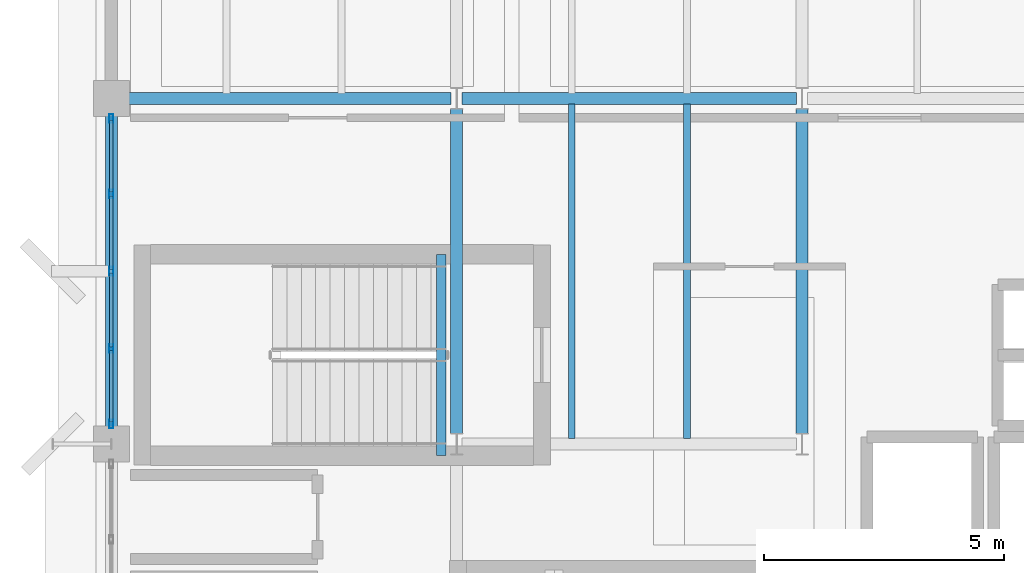
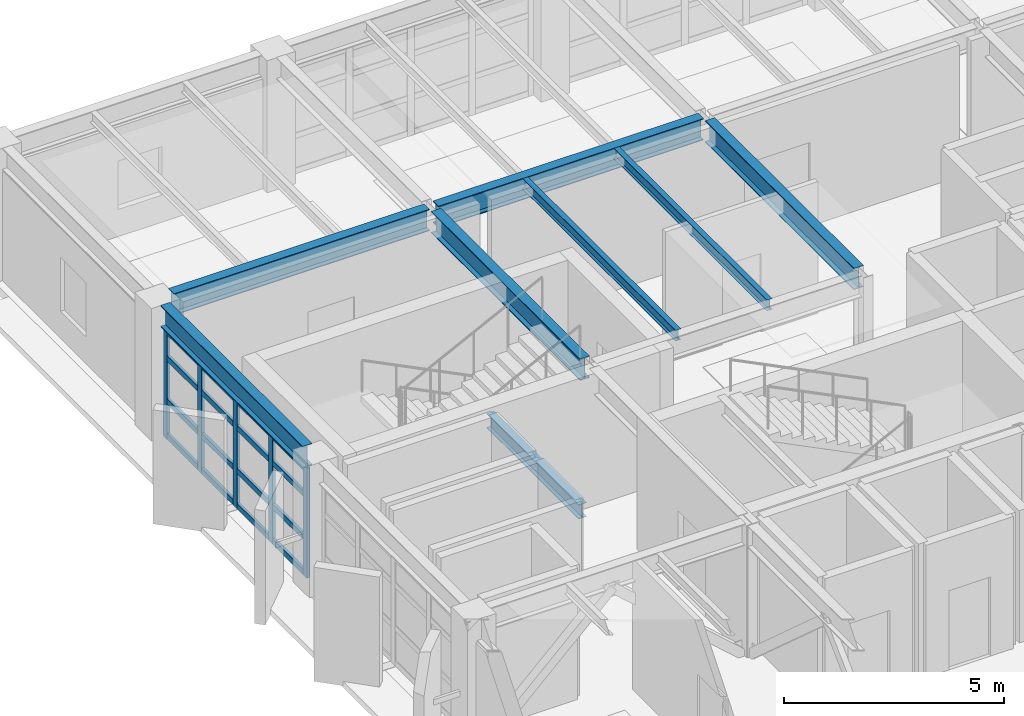
# One storey, part 8 of 24: 21 members, 8 beams, 1 element without a shape of its own.
"""IFC4 building model written with IfcOpenShell, lengths in metres."""

from ifc_helpers import new_model, si_unit, direction, frame, origin, origin_2d, place, context, subcontext, project, spatial, hollow_rectangle, i_section, extrude, material, layer, layer_set, material_profile, profile_set, type_object, element, aggregate, save


model = new_model("IFC4")

# Units and contexts
model_context = context("Model", 3, precision=1e-05, world=origin(), true_north=direction((0.0, 1.0)))
body_context = subcontext(model_context, "Body", "Model", "MODEL_VIEW")
ifc_project = project(units=[si_unit("LENGTHUNIT", "METRE"), si_unit("AREAUNIT", "SQUARE_METRE"), si_unit("VOLUMEUNIT", "CUBIC_METRE"), si_unit("PLANEANGLEUNIT", "RADIAN"), si_unit("MASSUNIT", "GRAM", prefix="KILO")], contexts=[model_context])

# Site, building, storey
site_placement = place(None, origin())
site = spatial("IfcSite", under=ifc_project, at=site_placement, CompositionType="ELEMENT")
building_placement = place(site_placement, origin())
building = spatial("IfcBuilding", under=site, at=building_placement, Name="Kandorven Conservatory and Botanical Research Centre", CompositionType="ELEMENT")
storey_placement = place(building_placement, frame((0.0, 0.0, 21.0)))
storey = spatial("IfcBuildingStorey", under=building, at=storey_placement, Name="L05", CompositionType="ELEMENT", Elevation=21.0)

# Beams
ifc_material_1 = material(Name="Steel S355 (IS 2062 E350)", Category="steel")
ifc_material_profile_1 = material_profile(ifc_material_1, i_section(OverallWidth=0.25, OverallDepth=0.60009765625, WebThickness=0.01171875, FlangeThickness=0.023681640625, at=origin_2d()))
ifc_profile_set_1 = profile_set([ifc_material_profile_1], Name="Steel S355 (IS 2062 E350)")
beam_type_1 = type_object("IfcBeamType", Name="Beam_FG-01", PredefinedType="USERDEFINED", material=ifc_profile_set_1)
beam_1_placement = place(storey_placement, frame((6.364990234375, 27.60009765625, 3.3701171875), z_axis=(1.0, 0.0, 0.0), x_axis=(0.0, 1.0, 0.0)))
element("IfcBeam", 1, at=beam_1_placement, inside=storey, type_object=beam_type_1, Name="Primary girder FG-01 TWR L05", ObjectType="GIRDER", PredefinedType="USERDEFINED", context=body_context, shape_type="SweptSolid", body=[
    extrude(i_section(OverallWidth=0.25, OverallDepth=0.60009765625, WebThickness=0.01171875, FlangeThickness=0.023681640625, at=origin_2d()), origin(), (0.0, 0.0, 1.0), 6.719970703125),
])
beam_2_placement = place(storey_placement, frame((13.31494140625, 27.60009765625, 3.3701171875), z_axis=(1.0, 0.0, 0.0), x_axis=(0.0, 1.0, 0.0)))
element("IfcBeam", 2, at=beam_2_placement, inside=storey, type_object=beam_type_1, Name="Primary girder FG-01 TWR L05", ObjectType="GIRDER", PredefinedType="USERDEFINED", context=body_context, shape_type="SweptSolid", body=[
    extrude(i_section(OverallWidth=0.25, OverallDepth=0.60009765625, WebThickness=0.01171875, FlangeThickness=0.023681640625, at=origin_2d()), origin(), (0.0, 0.0, 1.0), 6.969970703125),
])
beam_3_placement = place(storey_placement, frame((6.0, 20.764892578125, 3.3701171875), z_axis=(0.0, 1.0, 0.0), x_axis=(-1.0, 0.0, 0.0)))
element("IfcBeam", 3, at=beam_3_placement, inside=storey, type_object=beam_type_1, Name="Primary girder FG-01 TWR L05", ObjectType="GIRDER", PredefinedType="USERDEFINED", context=body_context, shape_type="SweptSolid", body=[
    extrude(i_section(OverallWidth=0.25, OverallDepth=0.60009765625, WebThickness=0.01171875, FlangeThickness=0.023681640625, at=origin_2d()), origin(), (0.0, 0.0, 1.0), 6.47021484375),
])
for number, where, z_axis, x_axis, name in (
    (4, (13.199951171875, 20.614990234375, 3.3701171875), (0.0, 1.0, 0.0), (-1.0, 0.0, 0.0), "Primary girder FG-01 TWR L05"),
    (5, (20.39990234375, 20.614990234375, 3.3701171875), (0.0, 1.0, 0.0), (-1.0, 0.0, 0.0), "Primary girder FG-01 TWR L05"),
):
    element("IfcBeam", number, at=place(storey_placement, frame(where, z_axis=z_axis, x_axis=x_axis)), inside=storey, type_object=beam_type_1, Name=name, ObjectType="GIRDER", PredefinedType="USERDEFINED", context=body_context, shape_type="SweptSolid", body=[
        extrude(i_section(OverallWidth=0.25, OverallDepth=0.60009765625, WebThickness=0.01171875, FlangeThickness=0.023681640625, at=origin_2d()), origin(), (0.0, 0.0, 1.0), 6.77001953125),
    ])
ifc_material_2 = material(Name="Steel S355 (IS 2062 E350)", Category="steel")
ifc_material_profile_2 = material_profile(ifc_material_2, i_section(OverallWidth=0.199951171875, OverallDepth=0.39990234375, WebThickness=0.008544921875, FlangeThickness=0.012939453125, at=origin_2d()))
ifc_profile_set_2 = profile_set([ifc_material_profile_2], Name="Steel S355 (IS 2062 E350)")
beam_type_2 = type_object("IfcBeamType", Name="Beam_FG-03", PredefinedType="USERDEFINED", material=ifc_profile_set_2)
beam_4_placement = place(storey_placement, frame((12.8798828125, 24.35009765625, -0.199951171875), z_axis=(0.0, -1.0, 0.0), x_axis=(1.0, 0.0, 0.0)))
element("IfcBeam", 6, at=beam_4_placement, inside=storey, type_object=beam_type_2, Name="Stair well bottom trimmer girder FG-03 ST-T2 L05", ObjectType="GIRDER", PredefinedType="USERDEFINED", context=body_context, shape_type="SweptSolid", body=[
    extrude(i_section(OverallWidth=0.199951171875, OverallDepth=0.39990234375, WebThickness=0.008544921875, FlangeThickness=0.012939453125, at=origin_2d()), origin(), (0.0, 0.0, 1.0), 4.190185546875),
])
ifc_material_3 = material(Name="Steel S355 (IS 2062 E350)", Category="steel")
ifc_material_profile_3 = material_profile(ifc_material_3, i_section(OverallWidth=0.139892578125, OverallDepth=0.300048828125, WebThickness=0.0078125, FlangeThickness=0.01318359375, at=origin_2d()))
ifc_profile_set_3 = profile_set([ifc_material_profile_3], Name="Steel S355 (IS 2062 E350)")
beam_type_3 = type_object("IfcBeamType", Name="Beam_SB-07", PredefinedType="BEAM", material=ifc_profile_set_3)
for number, where, z_axis, x_axis, name in (
    (7, (15.60009765625, 20.510009765625, 3.52001953125), (0.0, 1.0, 0.0), (-1.0, 0.0, 0.0), "Composite secondary beam SB-07 TWR L05"),
    (8, (18.0, 20.510009765625, 3.52001953125), (0.0, 1.0, 0.0), (-1.0, 0.0, 0.0), "Composite secondary beam SB-07 TWR L05"),
):
    element("IfcBeam", number, at=place(storey_placement, frame(where, z_axis=z_axis, x_axis=x_axis)), inside=storey, type_object=beam_type_3, Name=name, PredefinedType="BEAM", context=body_context, shape_type="SweptSolid", body=[
        extrude(i_section(OverallWidth=0.139892578125, OverallDepth=0.300048828125, WebThickness=0.0078125, FlangeThickness=0.01318359375, at=origin_2d()), origin(), (0.0, 0.0, 1.0), 6.97998046875),
    ])

# Curtain wall, members
ifc_material_4 = material(Name="Bronze anodised thermally broken aluminium", Category="aluminium")
ifc_layer = layer(ifc_material_4, 0.179931640625)
ifc_layer_set = layer_set([ifc_layer], Name="Bronze anodised thermally broken aluminium")
curtain_wall_type = type_object("IfcCurtainWallType", Name="CW_Unitised", PredefinedType="USERDEFINED", material=ifc_layer_set)
curtain_wall_placement = place(storey_placement, origin())
curtain_wall = element("IfcCurtainWall", 9, at=curtain_wall_placement, inside=storey, type_object=curtain_wall_type, Name="Tower laboratory curtain wall CW-TWR-W-L05-3", ObjectType="UNITISED GLAZING", PredefinedType="USERDEFINED")
ifc_material_5 = material(Name="Bronze anodised thermally broken aluminium", Category="aluminium")
ifc_material_profile_4 = material_profile(ifc_material_5, hollow_rectangle(XDim=0.080078125, YDim=0.179931640625, WallThickness=0.006103515625, at=origin_2d()))
ifc_profile_set_4 = profile_set([ifc_material_profile_4], Name="Bronze anodised thermally broken aluminium")
member_type_1 = type_object("IfcMemberType", Name="CW_Mullion", PredefinedType="MULLION", material=ifc_profile_set_4)
member_1_placement = place(storey_placement, frame((6.0, 20.81494140625, 0.0), z_axis=(0.0, 0.0, 1.0), x_axis=(-1.0, 0.0, 0.0)))
member_1 = element("IfcMember", 10, at=member_1_placement, type_object=member_type_1, Name="CW-01 mullion 1", PredefinedType="MULLION", context=body_context, shape_type="SweptSolid", body=[
    extrude(hollow_rectangle(XDim=0.080078125, YDim=0.179931640625, WallThickness=0.006103515625, at=origin_2d()), origin(), (0.0, 0.0, 1.0), 3.050048828125),
])
member_2_placement = place(storey_placement, frame((6.0, 22.387451171875, 0.0), z_axis=(0.0, 0.0, 1.0), x_axis=(-1.0, 0.0, 0.0)))
member_2 = element("IfcMember", 11, at=member_2_placement, type_object=member_type_1, Name="CW-01 mullion 2", PredefinedType="MULLION", context=body_context, shape_type="SweptSolid", body=[
    extrude(hollow_rectangle(XDim=0.080078125, YDim=0.179931640625, WallThickness=0.006103515625, at=origin_2d()), origin(), (0.0, 0.0, 1.0), 3.050048828125),
])
member_3_placement = place(storey_placement, frame((6.0, 24.0, 0.0), z_axis=(0.0, 0.0, 1.0), x_axis=(-1.0, 0.0, 0.0)))
member_3 = element("IfcMember", 12, at=member_3_placement, type_object=member_type_1, Name="CW-01 mullion 3", PredefinedType="MULLION", context=body_context, shape_type="SweptSolid", body=[
    extrude(hollow_rectangle(XDim=0.080078125, YDim=0.179931640625, WallThickness=0.006103515625, at=origin_2d()), origin(), (0.0, 0.0, 1.0), 3.050048828125),
])
member_4_placement = place(storey_placement, frame((6.0, 25.612548828125, 0.0), z_axis=(0.0, 0.0, 1.0), x_axis=(-1.0, 0.0, 0.0)))
member_4 = element("IfcMember", 13, at=member_4_placement, type_object=member_type_1, Name="CW-01 mullion 4", PredefinedType="MULLION", context=body_context, shape_type="SweptSolid", body=[
    extrude(hollow_rectangle(XDim=0.080078125, YDim=0.179931640625, WallThickness=0.006103515625, at=origin_2d()), origin(), (0.0, 0.0, 1.0), 3.050048828125),
])
member_5_placement = place(storey_placement, frame((6.0, 27.18505859375, 0.0), z_axis=(0.0, 0.0, 1.0), x_axis=(-1.0, 0.0, 0.0)))
member_5 = element("IfcMember", 14, at=member_5_placement, type_object=member_type_1, Name="CW-01 mullion 5", PredefinedType="MULLION", context=body_context, shape_type="SweptSolid", body=[
    extrude(hollow_rectangle(XDim=0.080078125, YDim=0.179931640625, WallThickness=0.006103515625, at=origin_2d()), origin(), (0.0, 0.0, 1.0), 3.050048828125),
])
ifc_material_6 = material(Name="Bronze anodised thermally broken aluminium", Category="aluminium")
ifc_material_profile_5 = material_profile(ifc_material_6, hollow_rectangle(XDim=0.074951171875, YDim=0.14990234375, WallThickness=0.006103515625, at=origin_2d()))
ifc_profile_set_5 = profile_set([ifc_material_profile_5], Name="Bronze anodised thermally broken aluminium")
member_type_2 = type_object("IfcMemberType", Name="CW_Transom", PredefinedType="USERDEFINED", material=ifc_profile_set_5)
member_6_placement = place(storey_placement, frame((6.0, 20.85498046875, 0.074951171875), z_axis=(0.0, 1.0, 0.0), x_axis=(-1.0, 0.0, 0.0)))
member_6 = element("IfcMember", 15, at=member_6_placement, type_object=member_type_2, Name="CW-01 transom 1.1", ObjectType="TRANSOM", PredefinedType="USERDEFINED", context=body_context, shape_type="SweptSolid", body=[
    extrude(hollow_rectangle(XDim=0.074951171875, YDim=0.14990234375, WallThickness=0.006103515625, at=origin_2d()), origin(), (0.0, 0.0, 1.0), 1.492431640625),
])
member_7_placement = place(storey_placement, frame((6.0, 20.85498046875, 1.050048828125), z_axis=(0.0, 1.0, 0.0), x_axis=(-1.0, 0.0, 0.0)))
member_7 = element("IfcMember", 16, at=member_7_placement, type_object=member_type_2, Name="CW-01 transom 1.2", ObjectType="TRANSOM", PredefinedType="USERDEFINED", context=body_context, shape_type="SweptSolid", body=[
    extrude(hollow_rectangle(XDim=0.074951171875, YDim=0.14990234375, WallThickness=0.006103515625, at=origin_2d()), origin(), (0.0, 0.0, 1.0), 1.492431640625),
])
member_8_placement = place(storey_placement, frame((6.0, 20.85498046875, 2.25), z_axis=(0.0, 1.0, 0.0), x_axis=(-1.0, 0.0, 0.0)))
member_8 = element("IfcMember", 17, at=member_8_placement, type_object=member_type_2, Name="CW-01 transom 1.3", ObjectType="TRANSOM", PredefinedType="USERDEFINED", context=body_context, shape_type="SweptSolid", body=[
    extrude(hollow_rectangle(XDim=0.074951171875, YDim=0.14990234375, WallThickness=0.006103515625, at=origin_2d()), origin(), (0.0, 0.0, 1.0), 1.492431640625),
])
member_9_placement = place(storey_placement, frame((6.0, 20.85498046875, 2.97509765625), z_axis=(0.0, 1.0, 0.0), x_axis=(-1.0, 0.0, 0.0)))
member_9 = element("IfcMember", 18, at=member_9_placement, type_object=member_type_2, Name="CW-01 transom 1.4", ObjectType="TRANSOM", PredefinedType="USERDEFINED", context=body_context, shape_type="SweptSolid", body=[
    extrude(hollow_rectangle(XDim=0.074951171875, YDim=0.14990234375, WallThickness=0.006103515625, at=origin_2d()), origin(), (0.0, 0.0, 1.0), 1.492431640625),
])
member_10_placement = place(storey_placement, frame((6.0, 22.427490234375, 0.074951171875), z_axis=(0.0, 1.0, 0.0), x_axis=(-1.0, 0.0, 0.0)))
member_10 = element("IfcMember", 19, at=member_10_placement, type_object=member_type_2, Name="CW-01 transom 2.1", ObjectType="TRANSOM", PredefinedType="USERDEFINED", context=body_context, shape_type="SweptSolid", body=[
    extrude(hollow_rectangle(XDim=0.074951171875, YDim=0.14990234375, WallThickness=0.006103515625, at=origin_2d()), origin(), (0.0, 0.0, 1.0), 1.532470703125),
])
member_11_placement = place(storey_placement, frame((6.0, 22.427490234375, 1.050048828125), z_axis=(0.0, 1.0, 0.0), x_axis=(-1.0, 0.0, 0.0)))
member_11 = element("IfcMember", 20, at=member_11_placement, type_object=member_type_2, Name="CW-01 transom 2.2", ObjectType="TRANSOM", PredefinedType="USERDEFINED", context=body_context, shape_type="SweptSolid", body=[
    extrude(hollow_rectangle(XDim=0.074951171875, YDim=0.14990234375, WallThickness=0.006103515625, at=origin_2d()), origin(), (0.0, 0.0, 1.0), 1.532470703125),
])
member_12_placement = place(storey_placement, frame((6.0, 22.427490234375, 2.25), z_axis=(0.0, 1.0, 0.0), x_axis=(-1.0, 0.0, 0.0)))
member_12 = element("IfcMember", 21, at=member_12_placement, type_object=member_type_2, Name="CW-01 transom 2.3", ObjectType="TRANSOM", PredefinedType="USERDEFINED", context=body_context, shape_type="SweptSolid", body=[
    extrude(hollow_rectangle(XDim=0.074951171875, YDim=0.14990234375, WallThickness=0.006103515625, at=origin_2d()), origin(), (0.0, 0.0, 1.0), 1.532470703125),
])
member_13_placement = place(storey_placement, frame((6.0, 22.427490234375, 2.97509765625), z_axis=(0.0, 1.0, 0.0), x_axis=(-1.0, 0.0, 0.0)))
member_13 = element("IfcMember", 22, at=member_13_placement, type_object=member_type_2, Name="CW-01 transom 2.4", ObjectType="TRANSOM", PredefinedType="USERDEFINED", context=body_context, shape_type="SweptSolid", body=[
    extrude(hollow_rectangle(XDim=0.074951171875, YDim=0.14990234375, WallThickness=0.006103515625, at=origin_2d()), origin(), (0.0, 0.0, 1.0), 1.532470703125),
])
member_14_placement = place(storey_placement, frame((6.0, 24.0400390625, 0.074951171875), z_axis=(0.0, 1.0, 0.0), x_axis=(-1.0, 0.0, 0.0)))
member_14 = element("IfcMember", 23, at=member_14_placement, type_object=member_type_2, Name="CW-01 transom 3.1", ObjectType="TRANSOM", PredefinedType="USERDEFINED", context=body_context, shape_type="SweptSolid", body=[
    extrude(hollow_rectangle(XDim=0.074951171875, YDim=0.14990234375, WallThickness=0.006103515625, at=origin_2d()), origin(), (0.0, 0.0, 1.0), 1.532470703125),
])
member_15_placement = place(storey_placement, frame((6.0, 24.0400390625, 1.050048828125), z_axis=(0.0, 1.0, 0.0), x_axis=(-1.0, 0.0, 0.0)))
member_15 = element("IfcMember", 24, at=member_15_placement, type_object=member_type_2, Name="CW-01 transom 3.2", ObjectType="TRANSOM", PredefinedType="USERDEFINED", context=body_context, shape_type="SweptSolid", body=[
    extrude(hollow_rectangle(XDim=0.074951171875, YDim=0.14990234375, WallThickness=0.006103515625, at=origin_2d()), origin(), (0.0, 0.0, 1.0), 1.532470703125),
])
member_16_placement = place(storey_placement, frame((6.0, 24.0400390625, 2.25), z_axis=(0.0, 1.0, 0.0), x_axis=(-1.0, 0.0, 0.0)))
member_16 = element("IfcMember", 25, at=member_16_placement, type_object=member_type_2, Name="CW-01 transom 3.3", ObjectType="TRANSOM", PredefinedType="USERDEFINED", context=body_context, shape_type="SweptSolid", body=[
    extrude(hollow_rectangle(XDim=0.074951171875, YDim=0.14990234375, WallThickness=0.006103515625, at=origin_2d()), origin(), (0.0, 0.0, 1.0), 1.532470703125),
])
member_17_placement = place(storey_placement, frame((6.0, 24.0400390625, 2.97509765625), z_axis=(0.0, 1.0, 0.0), x_axis=(-1.0, 0.0, 0.0)))
member_17 = element("IfcMember", 26, at=member_17_placement, type_object=member_type_2, Name="CW-01 transom 3.4", ObjectType="TRANSOM", PredefinedType="USERDEFINED", context=body_context, shape_type="SweptSolid", body=[
    extrude(hollow_rectangle(XDim=0.074951171875, YDim=0.14990234375, WallThickness=0.006103515625, at=origin_2d()), origin(), (0.0, 0.0, 1.0), 1.532470703125),
])
member_18_placement = place(storey_placement, frame((6.0, 25.652587890625, 0.074951171875), z_axis=(0.0, 1.0, 0.0), x_axis=(-1.0, 0.0, 0.0)))
member_18 = element("IfcMember", 27, at=member_18_placement, type_object=member_type_2, Name="CW-01 transom 4.1", ObjectType="TRANSOM", PredefinedType="USERDEFINED", context=body_context, shape_type="SweptSolid", body=[
    extrude(hollow_rectangle(XDim=0.074951171875, YDim=0.14990234375, WallThickness=0.006103515625, at=origin_2d()), origin(), (0.0, 0.0, 1.0), 1.492431640625),
])
member_19_placement = place(storey_placement, frame((6.0, 25.652587890625, 1.050048828125), z_axis=(0.0, 1.0, 0.0), x_axis=(-1.0, 0.0, 0.0)))
member_19 = element("IfcMember", 28, at=member_19_placement, type_object=member_type_2, Name="CW-01 transom 4.2", ObjectType="TRANSOM", PredefinedType="USERDEFINED", context=body_context, shape_type="SweptSolid", body=[
    extrude(hollow_rectangle(XDim=0.074951171875, YDim=0.14990234375, WallThickness=0.006103515625, at=origin_2d()), origin(), (0.0, 0.0, 1.0), 1.492431640625),
])
member_20_placement = place(storey_placement, frame((6.0, 25.652587890625, 2.25), z_axis=(0.0, 1.0, 0.0), x_axis=(-1.0, 0.0, 0.0)))
member_20 = element("IfcMember", 29, at=member_20_placement, type_object=member_type_2, Name="CW-01 transom 4.3", ObjectType="TRANSOM", PredefinedType="USERDEFINED", context=body_context, shape_type="SweptSolid", body=[
    extrude(hollow_rectangle(XDim=0.074951171875, YDim=0.14990234375, WallThickness=0.006103515625, at=origin_2d()), origin(), (0.0, 0.0, 1.0), 1.492431640625),
])
member_21_placement = place(storey_placement, frame((6.0, 25.652587890625, 2.97509765625), z_axis=(0.0, 1.0, 0.0), x_axis=(-1.0, 0.0, 0.0)))
member_21 = element("IfcMember", 30, at=member_21_placement, type_object=member_type_2, Name="CW-01 transom 4.4", ObjectType="TRANSOM", PredefinedType="USERDEFINED", context=body_context, shape_type="SweptSolid", body=[
    extrude(hollow_rectangle(XDim=0.074951171875, YDim=0.14990234375, WallThickness=0.006103515625, at=origin_2d()), origin(), (0.0, 0.0, 1.0), 1.492431640625),
])
aggregate(curtain_wall, [member_1, member_2, member_3, member_4, member_5, member_6, member_7, member_8, member_9, member_10, member_11, member_12, member_13, member_14, member_15, member_16, member_17, member_18, member_19, member_20, member_21])

save(model, "model.ifc")
